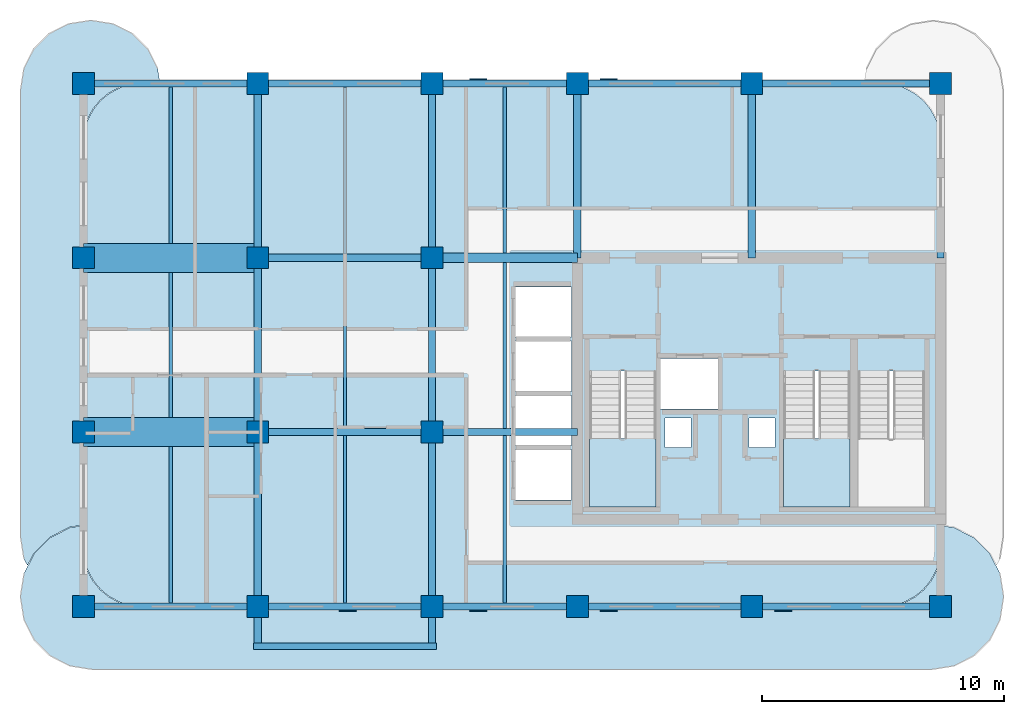
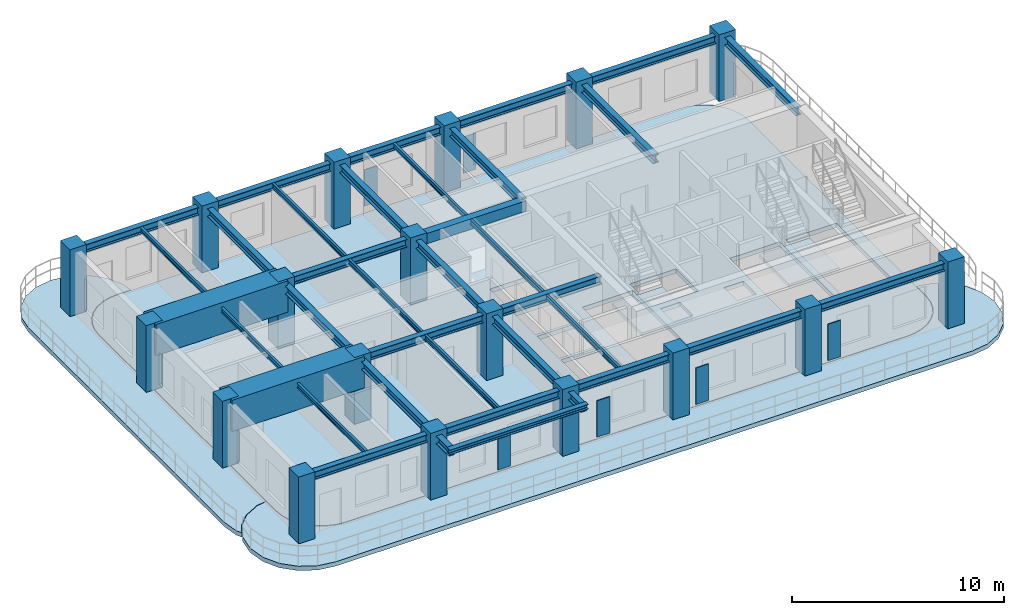
# One storey, part 1 of 8: 35 beams, 18 columns, 6 plates, 5 slabs, 2 elements without a shape of their own.
"""IFC4 building model written with IfcOpenShell, lengths in metres."""

from ifc_helpers import new_model, si_unit, derived_unit, direction, frame, origin, origin_2d, place, context, subcontext, project, spatial, polyline, rectangle, i_section, outline, extrude, source, transform, mapped, material, layer, layer_set, material_profile, profile_set, type_object, type_shapes, element, aggregate, save


model = new_model("IFC4")

# Units and contexts
model_context = context("Model", 3, precision=1e-05, world=origin(), true_north=direction((0.0, 1.0)))
body_context = subcontext(model_context, "Body", "Model", "MODEL_VIEW")
ifc_project = project(units=[si_unit("LENGTHUNIT", "METRE"), si_unit("AREAUNIT", "SQUARE_METRE"), si_unit("VOLUMEUNIT", "CUBIC_METRE"), si_unit("PLANEANGLEUNIT", "RADIAN"), si_unit("MASSUNIT", "GRAM", prefix="KILO"), si_unit("THERMODYNAMICTEMPERATUREUNIT", "KELVIN"), si_unit("POWERUNIT", "WATT"), derived_unit("THERMALTRANSMITTANCEUNIT", [(si_unit("POWERUNIT", "WATT"), 1), (si_unit("AREAUNIT", "SQUARE_METRE"), -1), (si_unit("THERMODYNAMICTEMPERATUREUNIT", "KELVIN"), -1)])], contexts=[model_context])

# Site, building, storey
site_placement = place(None, origin())
site = spatial("IfcSite", under=ifc_project, at=site_placement, CompositionType="ELEMENT")
building_placement = place(site_placement, origin())
building = spatial("IfcBuilding", under=site, at=building_placement, Name="Zahravan Archway Hotel and Residences", CompositionType="ELEMENT")
storey_placement = place(building_placement, frame((0.0, 0.0, 248.10009765625)))
storey = spatial("IfcBuildingStorey", under=building, at=storey_placement, Name="L62", CompositionType="ELEMENT", Elevation=248.10009765625)

# Columns
ifc_material_1 = material(Name="Concrete C60/75", Category="concrete")
ifc_material_profile_1 = material_profile(ifc_material_1, rectangle(XDim=0.89990234375, YDim=0.89990234375, at=origin_2d()), Name="RC-COL-900x900", Category="concrete")
ifc_profile_set_1 = profile_set([ifc_material_profile_1], Name="Concrete C60/75")
column_type = type_object("IfcColumnType", Name="COL-RC-900", PredefinedType="COLUMN", material=ifc_profile_set_1)
shared_shape_1 = source(origin(), body_context, "Body", "SweptSolid", [
    extrude(rectangle(XDim=0.89990234375, YDim=0.89990234375, at=origin_2d()), origin(), (0.0, 0.0, 1.0), 3.849853515625),
])
for number, where, z_axis, x_axis, name in (
    (1, (14.39990234375, 0.0, 0.0), (0.0, 0.0, 1.0), (1.0, 0.0, 0.0), "L62 Column 3-A"),
    (2, (14.39990234375, 7.199951171875, 0.0), (0.0, 0.0, 1.0), (1.0, 0.0, 0.0), "L62 Column 3-B"),
    (3, (14.39990234375, 14.39990234375, 0.0), (0.0, 0.0, 1.0), (1.0, 0.0, 0.0), "L62 Column 3-C"),
    (4, (14.39990234375, 21.60009765625, 0.0), (0.0, 0.0, 1.0), (1.0, 0.0, 0.0), "L62 Column 3-D"),
    (5, (21.60009765625, 0.0, 0.0), (0.0, 0.0, 1.0), (1.0, 0.0, 0.0), "L62 Column 4-A"),
    (6, (21.60009765625, 7.199951171875, 0.0), (0.0, 0.0, 1.0), (1.0, 0.0, 0.0), "L62 Column 4-B"),
    (7, (21.60009765625, 14.39990234375, 0.0), (0.0, 0.0, 1.0), (1.0, 0.0, 0.0), "L62 Column 4-C"),
    (8, (21.60009765625, 21.60009765625, 0.0), (0.0, 0.0, 1.0), (1.0, 0.0, 0.0), "L62 Column 4-D"),
    (9, (28.800048828125, 0.0, 0.0), (0.0, 0.0, 1.0), (1.0, 0.0, 0.0), "L62 Column 5-A"),
    (10, (28.800048828125, 7.199951171875, 0.0), (0.0, 0.0, 1.0), (1.0, 0.0, 0.0), "L62 Column 5-B"),
    (11, (28.800048828125, 14.39990234375, 0.0), (0.0, 0.0, 1.0), (1.0, 0.0, 0.0), "L62 Column 5-C"),
    (12, (28.800048828125, 21.60009765625, 0.0), (0.0, 0.0, 1.0), (1.0, 0.0, 0.0), "L62 Column 5-D"),
    (13, (34.800048828125, 0.0, 0.0), (0.0, 0.0, 1.0), (1.0, 0.0, 0.0), "L62 Column 6-A"),
    (14, (34.800048828125, 21.60009765625, 0.0), (0.0, 0.0, 1.0), (1.0, 0.0, 0.0), "L62 Column 6-D"),
    (15, (42.0, 0.0, 0.0), (0.0, 0.0, 1.0), (1.0, 0.0, 0.0), "L62 Column 7-A"),
    (16, (42.0, 21.60009765625, 0.0), (0.0, 0.0, 1.0), (1.0, 0.0, 0.0), "L62 Column 7-D"),
    (17, (49.800048828125, 0.0, 0.0), (0.0, 0.0, 1.0), (1.0, 0.0, 0.0), "L62 Column 8-A"),
    (18, (49.800048828125, 21.60009765625, 0.0), (0.0, 0.0, 1.0), (1.0, 0.0, 0.0), "L62 Column 8-D"),
):
    element("IfcColumn", number, at=place(storey_placement, frame(where, z_axis=z_axis, x_axis=x_axis)), inside=storey, type_object=column_type, Name=name, PredefinedType="COLUMN", context=body_context, shape_type="MappedRepresentation", body=[
        mapped(shared_shape_1, transform((0.0, 0.0, 0.0), scale=1.0)),
    ])

# Beams
ifc_material_2 = material(Name="Structural Steel S355JR", Category="steel")
ifc_material_profile_2 = material_profile(ifc_material_2, i_section(OverallWidth=0.280029296875, OverallDepth=0.280029296875, WebThickness=0.010498046875, FlangeThickness=0.01806640625, FilletRadius=0.02392578125, at=origin_2d()), Name="HEB 280", Category="steel")
ifc_profile_set_2 = profile_set([ifc_material_profile_2], Name="Structural Steel S355JR")
beam_type_1 = type_object("IfcBeamType", Name="BM-SPN-HEB280", PredefinedType="SPANDREL", material=ifc_profile_set_2)
shared_shape_2 = source(origin(), body_context, "Body", "SweptSolid", [
    extrude(i_section(OverallWidth=0.280029296875, OverallDepth=0.280029296875, WebThickness=0.010498046875, FlangeThickness=0.01806640625, FilletRadius=0.02392578125, at=origin_2d()), origin(), (0.0, 0.0, 1.0), 7.56005859375),
])
type_shapes(beam_type_1, [shared_shape_2])
beam_1_placement = place(storey_placement, frame((21.419921875, -1.64990234375, 3.4599609375), z_axis=(1.0, 0.0, 0.0), x_axis=(0.0, 1.0, 0.0)))
element("IfcBeam", 19, at=beam_1_placement, inside=storey, type_object=beam_type_1, Name="L63 SA Balcony Edge Spandrel", PredefinedType="SPANDREL", context=body_context, shape_type="MappedRepresentation", body=[
    mapped(shared_shape_2, transform((0.0, 0.0, 0.0), scale=1.0)),
])
ifc_material_profile_3 = material_profile(ifc_material_1, rectangle(XDim=0.39990234375, YDim=0.60009765625, at=origin_2d()), Name="RC-LNT-400x600", Category="concrete")
ifc_profile_set_3 = profile_set([ifc_material_profile_3], Name="Concrete C60/75")
beam_type_2 = type_object("IfcBeamType", Name="LNT-RC-400x600", PredefinedType="LINTEL", material=ifc_profile_set_3)
shared_shape_3 = source(origin(), body_context, "Body", "SweptSolid", [
    extrude(rectangle(XDim=0.39990234375, YDim=0.60009765625, at=origin_2d()), origin(), (0.0, 0.0, 1.0), 6.0),
])
type_shapes(beam_type_2, [shared_shape_3])
beam_2_placement = place(storey_placement, frame((28.800048828125, 14.39990234375, 3.2998046875), z_axis=(1.0, 0.0, 0.0), x_axis=(0.0, 1.0, 0.0)))
element("IfcBeam", 20, at=beam_2_placement, inside=storey, type_object=beam_type_2, Name="L62 Core A Coupling Lintel Beam", PredefinedType="LINTEL", context=body_context, shape_type="MappedRepresentation", body=[
    mapped(shared_shape_3, transform((0.0, 0.0, 0.0), scale=1.0)),
])
ifc_material_profile_4 = material_profile(ifc_material_2, i_section(OverallWidth=0.300048828125, OverallDepth=0.449951171875, WebThickness=0.013916015625, FlangeThickness=0.02587890625, FilletRadius=0.027099609375, at=origin_2d()), Name="HEB 450", Category="steel")
ifc_profile_set_4 = profile_set([ifc_material_profile_4], Name="Structural Steel S355JR")
beam_type_3 = type_object("IfcBeamType", Name="BM-PRI-HEB450", PredefinedType="BEAM", material=ifc_profile_set_4)
shared_shape_4 = source(origin(), body_context, "Body", "SweptSolid", [
    extrude(i_section(OverallWidth=0.300048828125, OverallDepth=0.449951171875, WebThickness=0.013916015625, FlangeThickness=0.02587890625, FilletRadius=0.027099609375, at=origin_2d()), origin(), (0.0, 0.0, 1.0), 7.2001953125),
])
type_shapes(beam_type_3, [shared_shape_4])
for number, where, z_axis, x_axis, name in (
    (21, (14.39990234375, 0.0, 3.375), (1.0, 0.0, 0.0), (0.0, 1.0, 0.0), "L62 Primary Girder EW-01"),
    (22, (14.39990234375, 21.60009765625, 3.375), (1.0, 0.0, 0.0), (0.0, 1.0, 0.0), "L62 Primary Girder EW-09"),
    (23, (21.60009765625, 14.39990234375, 3.375), (0.0, 1.0, 0.0), (-1.0, 0.0, 0.0), "L62 Primary Girder NS-16"),
    (24, (28.800048828125, 14.39990234375, 3.375), (0.0, 1.0, 0.0), (-1.0, 0.0, 0.0), "L62 Primary Girder NS-19"),
    (25, (34.800048828125, 14.39990234375, 3.375), (0.0, 1.0, 0.0), (-1.0, 0.0, 0.0), "L62 Primary Girder NS-20"),
    (26, (42.0, 14.39990234375, 3.375), (0.0, 1.0, 0.0), (-1.0, 0.0, 0.0), "L62 Primary Girder NS-21"),
    (27, (49.800048828125, 14.39990234375, 3.375), (0.0, 1.0, 0.0), (-1.0, 0.0, 0.0), "L62 Primary Girder NS-22"),
):
    element("IfcBeam", number, at=place(storey_placement, frame(where, z_axis=z_axis, x_axis=x_axis)), inside=storey, type_object=beam_type_3, Name=name, PredefinedType="BEAM", context=body_context, shape_type="MappedRepresentation", body=[
        mapped(shared_shape_4, transform((0.0, 0.0, 0.0), scale=1.0)),
    ])
shared_shape_5 = source(origin(), body_context, "Body", "SweptSolid", [
    extrude(i_section(OverallWidth=0.300048828125, OverallDepth=0.449951171875, WebThickness=0.013916015625, FlangeThickness=0.02587890625, FilletRadius=0.027099609375, at=origin_2d()), origin(), (0.0, 0.0, 1.0), 7.199951171875),
])
for number, where, z_axis, x_axis, name in (
    (28, (21.60009765625, 0.0, 3.375), (1.0, 0.0, 0.0), (0.0, 1.0, 0.0), "L62 Primary Girder EW-02"),
    (29, (34.800048828125, 0.0, 3.375), (1.0, 0.0, 0.0), (0.0, 1.0, 0.0), "L62 Primary Girder EW-04"),
    (30, (21.60009765625, 7.199951171875, 3.375), (1.0, 0.0, 0.0), (0.0, 1.0, 0.0), "L62 Primary Girder EW-06"),
    (31, (21.60009765625, 14.39990234375, 3.375), (1.0, 0.0, 0.0), (0.0, 1.0, 0.0), "L62 Primary Girder EW-08"),
    (32, (21.60009765625, 21.60009765625, 3.375), (1.0, 0.0, 0.0), (0.0, 1.0, 0.0), "L62 Primary Girder EW-10"),
    (33, (34.800048828125, 21.60009765625, 3.375), (1.0, 0.0, 0.0), (0.0, 1.0, 0.0), "L62 Primary Girder EW-12"),
    (34, (21.60009765625, 7.199951171875, 3.375), (0.0, 1.0, 0.0), (-1.0, 0.0, 0.0), "L62 Primary Girder NS-15"),
    (35, (28.800048828125, 7.199951171875, 3.375), (0.0, 1.0, 0.0), (-1.0, 0.0, 0.0), "L62 Primary Girder NS-18"),
):
    element("IfcBeam", number, at=place(storey_placement, frame(where, z_axis=z_axis, x_axis=x_axis)), inside=storey, type_object=beam_type_3, Name=name, PredefinedType="BEAM", context=body_context, shape_type="MappedRepresentation", body=[
        mapped(shared_shape_5, transform((0.0, 0.0, 0.0), scale=1.0)),
    ])
shared_shape_6 = source(origin(), body_context, "Body", "SweptSolid", [
    extrude(i_section(OverallWidth=0.300048828125, OverallDepth=0.449951171875, WebThickness=0.013916015625, FlangeThickness=0.02587890625, FilletRadius=0.027099609375, at=origin_2d()), origin(), (0.0, 0.0, 1.0), 6.0),
])
for number, where, z_axis, x_axis, name in (
    (36, (28.800048828125, 0.0, 3.375), (1.0, 0.0, 0.0), (0.0, 1.0, 0.0), "L62 Primary Girder EW-03"),
    (37, (28.800048828125, 7.199951171875, 3.375), (1.0, 0.0, 0.0), (0.0, 1.0, 0.0), "L62 Primary Girder EW-07"),
    (38, (28.800048828125, 21.60009765625, 3.375), (1.0, 0.0, 0.0), (0.0, 1.0, 0.0), "L62 Primary Girder EW-11"),
):
    element("IfcBeam", number, at=place(storey_placement, frame(where, z_axis=z_axis, x_axis=x_axis)), inside=storey, type_object=beam_type_3, Name=name, PredefinedType="BEAM", context=body_context, shape_type="MappedRepresentation", body=[
        mapped(shared_shape_6, transform((0.0, 0.0, 0.0), scale=1.0)),
    ])
shared_shape_7 = source(origin(), body_context, "Body", "SweptSolid", [
    extrude(i_section(OverallWidth=0.300048828125, OverallDepth=0.449951171875, WebThickness=0.013916015625, FlangeThickness=0.02587890625, FilletRadius=0.027099609375, at=origin_2d()), origin(), (0.0, 0.0, 1.0), 7.800048828125),
])
for number, where, z_axis, x_axis, name in (
    (39, (42.0, 0.0, 3.375), (1.0, 0.0, 0.0), (0.0, 1.0, 0.0), "L62 Primary Girder EW-05"),
    (40, (42.0, 21.60009765625, 3.375), (1.0, 0.0, 0.0), (0.0, 1.0, 0.0), "L62 Primary Girder EW-13"),
):
    element("IfcBeam", number, at=place(storey_placement, frame(where, z_axis=z_axis, x_axis=x_axis)), inside=storey, type_object=beam_type_3, Name=name, PredefinedType="BEAM", context=body_context, shape_type="MappedRepresentation", body=[
        mapped(shared_shape_7, transform((0.0, 0.0, 0.0), scale=1.0)),
    ])
ifc_material_profile_5 = material_profile(ifc_material_2, i_section(OverallWidth=0.135009765625, OverallDepth=0.27001953125, WebThickness=0.006591796875, FlangeThickness=0.01025390625, FilletRadius=0.014892578125, at=origin_2d()), Name="IPE 270", Category="steel")
ifc_profile_set_5 = profile_set([ifc_material_profile_5], Name="Structural Steel S355JR")
beam_type_4 = type_object("IfcBeamType", Name="BM-JST-IPE270", PredefinedType="JOIST", material=ifc_profile_set_5)
shared_shape_8 = source(origin(), body_context, "Body", "SweptSolid", [
    extrude(i_section(OverallWidth=0.135009765625, OverallDepth=0.27001953125, WebThickness=0.006591796875, FlangeThickness=0.01025390625, FilletRadius=0.014892578125, at=origin_2d()), origin(), (0.0, 0.0, 1.0), 6.904052734375),
])
type_shapes(beam_type_4, [shared_shape_8])
for number, where, z_axis, x_axis, name in (
    (41, (25.199951171875, 0.14794921875, 3.46484375), (0.0, 1.0, 0.0), (-1.0, 0.0, 0.0), "L62 Composite Floor Joist 02"),
    (42, (31.800048828125, 0.14794921875, 3.46484375), (0.0, 1.0, 0.0), (-1.0, 0.0, 0.0), "L62 Composite Floor Joist 03"),
    (43, (25.199951171875, 7.347900390625, 3.46484375), (0.0, 1.0, 0.0), (-1.0, 0.0, 0.0), "L62 Composite Floor Joist 05"),
):
    element("IfcBeam", number, at=place(storey_placement, frame(where, z_axis=z_axis, x_axis=x_axis)), inside=storey, type_object=beam_type_4, Name=name, PredefinedType="JOIST", context=body_context, shape_type="MappedRepresentation", body=[
        mapped(shared_shape_8, transform((0.0, 0.0, 0.0), scale=1.0)),
    ])
shared_shape_9 = source(origin(), body_context, "Body", "SweptSolid", [
    extrude(i_section(OverallWidth=0.135009765625, OverallDepth=0.27001953125, WebThickness=0.006591796875, FlangeThickness=0.01025390625, FilletRadius=0.014892578125, at=origin_2d()), origin(), (0.0, 0.0, 1.0), 6.85400390625),
])
for number, where, z_axis, x_axis, name in (
    (44, (31.800048828125, 7.347900390625, 3.46484375), (0.0, 1.0, 0.0), (-1.0, 0.0, 0.0), "L62 Composite Floor Joist 06"),
    (45, (31.800048828125, 14.597900390625, 3.46484375), (0.0, 1.0, 0.0), (-1.0, 0.0, 0.0), "L62 Composite Floor Joist 07"),
):
    element("IfcBeam", number, at=place(storey_placement, frame(where, z_axis=z_axis, x_axis=x_axis)), inside=storey, type_object=beam_type_4, Name=name, PredefinedType="JOIST", context=body_context, shape_type="MappedRepresentation", body=[
        mapped(shared_shape_9, transform((0.0, 0.0, 0.0), scale=1.0)),
    ])
shared_shape_10 = source(origin(), body_context, "Body", "SweptSolid", [
    extrude(i_section(OverallWidth=0.135009765625, OverallDepth=0.27001953125, WebThickness=0.006591796875, FlangeThickness=0.01025390625, FilletRadius=0.014892578125, at=origin_2d()), origin(), (0.0, 0.0, 1.0), 6.90380859375),
])
beam_3_placement = place(storey_placement, frame((25.199951171875, 14.548095703125, 3.46484375), z_axis=(0.0, 1.0, 0.0), x_axis=(-1.0, 0.0, 0.0)))
element("IfcBeam", 46, at=beam_3_placement, inside=storey, type_object=beam_type_4, Name="L62 Composite Floor Joist 09", PredefinedType="JOIST", context=body_context, shape_type="MappedRepresentation", body=[
    mapped(shared_shape_10, transform((0.0, 0.0, 0.0), scale=1.0)),
])
shared_shape_11 = source(origin(), body_context, "Body", "SweptSolid", [
    extrude(i_section(OverallWidth=0.300048828125, OverallDepth=0.449951171875, WebThickness=0.013916015625, FlangeThickness=0.02587890625, FilletRadius=0.027099609375, at=origin_2d()), origin(), (0.0, 0.0, 1.0), 8.849853515625),
])
for number, where, z_axis, x_axis, name in (
    (47, (21.60009765625, -1.64990234375, 3.375), (0.0, 1.0, 0.0), (-1.0, 0.0, 0.0), "L62 Primary Girder NS-14"),
    (48, (28.800048828125, -1.64990234375, 3.375), (0.0, 1.0, 0.0), (-1.0, 0.0, 0.0), "L62 Primary Girder NS-17"),
):
    element("IfcBeam", number, at=place(storey_placement, frame(where, z_axis=z_axis, x_axis=x_axis)), inside=storey, type_object=beam_type_3, Name=name, PredefinedType="BEAM", context=body_context, shape_type="MappedRepresentation", body=[
        mapped(shared_shape_11, transform((0.0, 0.0, 0.0), scale=1.0)),
    ])
ifc_material_profile_6 = material_profile(ifc_material_1, rectangle(XDim=1.199951171875, YDim=1.800048828125, at=origin_2d()), Name="RC 1200x1800", Category="concrete")
ifc_profile_set_6 = profile_set([ifc_material_profile_6], Name="Concrete C60/75")
beam_type_5 = type_object("IfcBeamType", Name="BM-TRG-1200x1800", PredefinedType="T_BEAM", material=ifc_profile_set_6)
shared_shape_12 = source(origin(), body_context, "Body", "SweptSolid", [
    extrude(rectangle(XDim=1.199951171875, YDim=1.800048828125, at=origin_2d()), origin(), (0.0, 0.0, 1.0), 7.2001953125),
])
for number, where, z_axis, x_axis, name in (
    (49, (14.39990234375, 7.199951171875, 2.949951171875), (1.0, 0.0, 0.0), (0.0, 1.0, 0.0), "L62 West Setback RC Transfer Girder 1"),
    (50, (14.39990234375, 14.39990234375, 2.949951171875), (1.0, 0.0, 0.0), (0.0, 1.0, 0.0), "L62 West Setback RC Transfer Girder 2"),
):
    element("IfcBeam", number, at=place(storey_placement, frame(where, z_axis=z_axis, x_axis=x_axis)), inside=storey, type_object=beam_type_5, Name=name, PredefinedType="T_BEAM", context=body_context, shape_type="MappedRepresentation", body=[
        mapped(shared_shape_12, transform((0.0, 0.0, 0.0), scale=1.0)),
    ])
shared_shape_13 = source(origin(), body_context, "Body", "SweptSolid", [
    extrude(i_section(OverallWidth=0.135009765625, OverallDepth=0.27001953125, WebThickness=0.006591796875, FlangeThickness=0.01025390625, FilletRadius=0.014892578125, at=origin_2d()), origin(), (0.0, 0.0, 1.0), 6.4541015625),
])
beam_4_placement = place(storey_placement, frame((18.0, 0.14794921875, 3.46484375), z_axis=(0.0, 1.0, 0.0), x_axis=(-1.0, 0.0, 0.0)))
element("IfcBeam", 51, at=beam_4_placement, inside=storey, type_object=beam_type_4, Name="L62 Composite Floor Joist 01", PredefinedType="JOIST", context=body_context, shape_type="MappedRepresentation", body=[
    mapped(shared_shape_13, transform((0.0, 0.0, 0.0), scale=1.0)),
])
shared_shape_14 = source(origin(), body_context, "Body", "SweptSolid", [
    extrude(i_section(OverallWidth=0.135009765625, OverallDepth=0.27001953125, WebThickness=0.006591796875, FlangeThickness=0.01025390625, FilletRadius=0.014892578125, at=origin_2d()), origin(), (0.0, 0.0, 1.0), 6.00390625),
])
beam_5_placement = place(storey_placement, frame((18.0, 7.798095703125, 3.46484375), z_axis=(0.0, 1.0, 0.0), x_axis=(-1.0, 0.0, 0.0)))
element("IfcBeam", 52, at=beam_5_placement, inside=storey, type_object=beam_type_4, Name="L62 Composite Floor Joist 04", PredefinedType="JOIST", context=body_context, shape_type="MappedRepresentation", body=[
    mapped(shared_shape_14, transform((0.0, 0.0, 0.0), scale=1.0)),
])
shared_shape_15 = source(origin(), body_context, "Body", "SweptSolid", [
    extrude(i_section(OverallWidth=0.135009765625, OverallDepth=0.27001953125, WebThickness=0.006591796875, FlangeThickness=0.01025390625, FilletRadius=0.014892578125, at=origin_2d()), origin(), (0.0, 0.0, 1.0), 6.453857421875),
])
beam_6_placement = place(storey_placement, frame((18.0, 14.998046875, 3.46484375), z_axis=(0.0, 1.0, 0.0), x_axis=(-1.0, 0.0, 0.0)))
element("IfcBeam", 53, at=beam_6_placement, inside=storey, type_object=beam_type_4, Name="L62 Composite Floor Joist 08", PredefinedType="JOIST", context=body_context, shape_type="MappedRepresentation", body=[
    mapped(shared_shape_15, transform((0.0, 0.0, 0.0), scale=1.0)),
])

# Slabs
ifc_material_3 = material(Name="Concrete C45/55", Category="concrete")
ifc_layer_1 = layer(ifc_material_3, 0.25, Name="Concrete C45/55", Category="concrete")
ifc_layer_set_1 = layer_set([ifc_layer_1], Name="Concrete C45/55")
slab_type_1 = type_object("IfcSlabType", Name="SLB-BALC-250", PredefinedType="FLOOR", material=ifc_layer_set_1)
slab_1_placement = place(storey_placement, frame((0.0, 0.0, -0.25)))
element("IfcSlab", 54, at=slab_1_placement, inside=storey, type_object=slab_type_1, Name="L62 Wing A South Rounded Balcony Band", PredefinedType="FLOOR", context=body_context, shape_type="SweptSolid", body=[
    extrude(outline(polyline([(50.361572265625, 3.255615234375), (51.18408203125, 2.836669921875), (51.836669921875, 2.18408203125), (52.255615234375, 1.361572265625), (52.39990234375, 0.449951171875), (52.39990234375, 0.35009765625), (52.255615234375, -0.5615234375), (51.836669921875, -1.384033203125), (51.18408203125, -2.03662109375), (50.361572265625, -2.45556640625), (49.449951171875, -2.60009765625), (14.75, -2.60009765625), (13.83837890625, -2.45556640625), (13.01611328125, -2.03662109375), (12.36328125, -1.384033203125), (11.9443359375, -0.5615234375), (11.800048828125, 0.35009765625), (11.800048828125, 0.449951171875), (11.9443359375, 1.361572265625), (12.36328125, 2.18408203125), (13.01611328125, 2.836669921875), (13.83837890625, 3.255615234375), (14.3798828125, 3.34130859375), (14.3798828125, 2.39990234375), (14.380126953125, 2.39794921875), (14.42626953125, 1.9296875), (14.426513671875, 1.927978515625), (14.427001953125, 1.926025390625), (14.563720703125, 1.475830078125), (14.564208984375, 1.473876953125), (14.565185546875, 1.47216796875), (14.786865234375, 1.05712890625), (14.787841796875, 1.055419921875), (14.7890625, 1.053955078125), (15.08740234375, 0.690185546875), (15.0888671875, 0.688720703125), (15.090087890625, 0.6875), (15.453857421875, 0.388916015625), (15.45556640625, 0.387939453125), (15.457275390625, 0.386962890625), (15.872314453125, 0.1650390625), (15.873779296875, 0.164306640625), (15.875732421875, 0.16357421875), (16.325927734375, 0.027099609375), (16.327880859375, 0.026611328125), (16.329833984375, 0.026123046875), (16.798095703125, -0.02001953125), (16.800048828125, -0.02001953125), (47.39990234375, -0.02001953125), (47.402099609375, -0.02001953125), (47.8701171875, 0.026123046875), (47.8720703125, 0.026611328125), (47.8740234375, 0.027099609375), (48.32421875, 0.16357421875), (48.326171875, 0.164306640625), (48.327880859375, 0.1650390625), (48.742919921875, 0.386962890625), (48.744384765625, 0.387939453125), (48.74609375, 0.388916015625), (49.10986328125, 0.6875), (49.111083984375, 0.688720703125), (49.112548828125, 0.690185546875), (49.410888671875, 1.053955078125), (49.412109375, 1.055419921875), (49.4130859375, 1.05712890625), (49.635009765625, 1.47216796875), (49.6357421875, 1.473876953125), (49.636474609375, 1.475830078125), (49.77294921875, 1.926025390625), (49.7734375, 1.927978515625), (49.773681640625, 1.9296875), (49.81982421875, 2.39794921875), (49.820068359375, 2.39990234375), (49.820068359375, 3.34130859375), (50.361572265625, 3.255615234375)])), origin(), (0.0, 0.0, 1.0), 0.25),
])
slab_2_placement = place(storey_placement, frame((0.0, 0.0, -0.25)))
element("IfcSlab", 55, at=slab_2_placement, inside=storey, type_object=slab_type_1, Name="L62 Wing A West Rounded Balcony Band", PredefinedType="FLOOR", context=body_context, shape_type="SweptSolid", body=[
    extrude(outline(polyline([(11.939453125, 1.96923828125), (11.800048828125, 2.85009765625), (11.800048828125, 21.35009765625), (11.939453125, 22.230712890625), (12.34423828125, 23.025146484375), (12.974853515625, 23.65576171875), (13.769287109375, 24.060546875), (14.64990234375, 24.199951171875), (14.75, 24.199951171875), (15.630615234375, 24.060546875), (16.42529296875, 23.65576171875), (17.0556640625, 23.025146484375), (17.46044921875, 22.230712890625), (17.55712890625, 21.6201171875), (16.800048828125, 21.6201171875), (16.798095703125, 21.619873046875), (16.329833984375, 21.57373046875), (16.327880859375, 21.573486328125), (16.325927734375, 21.572998046875), (15.875732421875, 21.436279296875), (15.873779296875, 21.435791015625), (15.872314453125, 21.434814453125), (15.457275390625, 21.213134765625), (15.45556640625, 21.212158203125), (15.453857421875, 21.2109375), (15.090087890625, 20.91259765625), (15.0888671875, 20.9111328125), (15.08740234375, 20.909912109375), (14.7890625, 20.546142578125), (14.787841796875, 20.54443359375), (14.786865234375, 20.542724609375), (14.565185546875, 20.127685546875), (14.564208984375, 20.126220703125), (14.563720703125, 20.124267578125), (14.427001953125, 19.674072265625), (14.426513671875, 19.672119140625), (14.42626953125, 19.670166015625), (14.380126953125, 19.201904296875), (14.3798828125, 19.199951171875), (14.3798828125, 3.361328125), (14.37890625, 3.361328125), (14.376953125, 3.361083984375), (13.835205078125, 3.275390625), (13.833251953125, 3.27490234375), (13.831298828125, 3.2744140625), (13.829345703125, 3.2734375), (13.0068359375, 2.8544921875), (13.005126953125, 2.853515625), (13.00341796875, 2.85205078125), (13.001953125, 2.8505859375), (12.349365234375, 2.197998046875), (12.347900390625, 2.196533203125), (12.3466796875, 2.19482421875), (12.345703125, 2.193115234375), (12.08544921875, 1.6826171875), (11.939453125, 1.96923828125)])), origin(), (0.0, 0.0, 1.0), 0.25),
])
ifc_layer_2 = layer(ifc_material_3, 0.25, Name="Concrete C45/55", Category="concrete")
ifc_layer_set_2 = layer_set([ifc_layer_2], Name="Concrete C45/55")
slab_type_2 = type_object("IfcSlabType", Name="SLB-FLR-250", PredefinedType="FLOOR", material=ifc_layer_set_2)
slab_3_placement = place(storey_placement, frame((0.0, 0.0, -0.25)))
element("IfcSlab", 56, at=slab_3_placement, inside=storey, type_object=slab_type_2, Name="L62 Floor Slab WA", PredefinedType="FLOOR", context=body_context, shape_type="SweptSolid", body=[
    extrude(outline(polyline([(47.39990234375, 0.0), (47.8681640625, 0.046142578125), (48.318359375, 0.1826171875), (48.7333984375, 0.404541015625), (49.09716796875, 0.702880859375), (49.3955078125, 1.066650390625), (49.6171875, 1.481689453125), (49.75390625, 1.931884765625), (49.800048828125, 2.39990234375), (49.800048828125, 19.199951171875), (49.75390625, 19.668212890625), (49.6171875, 20.118408203125), (49.3955078125, 20.533447265625), (49.09716796875, 20.897216796875), (48.7333984375, 21.195556640625), (48.318359375, 21.417236328125), (47.8681640625, 21.553955078125), (47.39990234375, 21.60009765625), (16.800048828125, 21.60009765625), (16.331787109375, 21.553955078125), (15.881591796875, 21.417236328125), (15.466552734375, 21.195556640625), (15.102783203125, 20.897216796875), (14.804443359375, 20.533447265625), (14.582763671875, 20.118408203125), (14.446044921875, 19.668212890625), (14.39990234375, 19.199951171875), (14.39990234375, 2.39990234375), (14.446044921875, 1.931884765625), (14.582763671875, 1.481689453125), (14.804443359375, 1.066650390625), (15.102783203125, 0.702880859375), (15.466552734375, 0.404541015625), (15.881591796875, 0.1826171875), (16.331787109375, 0.046142578125), (16.800048828125, 0.0), (47.39990234375, 0.0)]), holes=[polyline([(35.300048828125, 9.72998046875), (35.300048828125, 4.10009765625), (38.0400390625, 4.10009765625), (38.0400390625, 9.72998046875), (35.300048828125, 9.72998046875)]), polyline([(43.320068359375, 9.72998046875), (43.320068359375, 4.10009765625), (46.06005859375, 4.10009765625), (46.06005859375, 9.72998046875), (43.320068359375, 9.72998046875)]), polyline([(46.39990234375, 9.72998046875), (46.39990234375, 4.10009765625), (49.139892578125, 4.10009765625), (49.139892578125, 9.72998046875), (46.39990234375, 9.72998046875)]), polyline([(38.179931640625, 8.14990234375), (40.699951171875, 8.14990234375), (40.699951171875, 10.25), (38.179931640625, 10.25), (38.179931640625, 8.14990234375)]), polyline([(32.25, 4.39990234375), (34.550048828125, 4.39990234375), (34.550048828125, 6.47998046875), (32.25, 6.47998046875), (32.25, 4.39990234375)]), polyline([(32.25, 6.639892578125), (34.550048828125, 6.639892578125), (34.550048828125, 8.719970703125), (32.25, 8.719970703125), (32.25, 6.639892578125)]), polyline([(32.25, 8.8798828125), (34.550048828125, 8.8798828125), (34.550048828125, 10.9599609375), (32.25, 10.9599609375), (32.25, 8.8798828125)]), polyline([(32.25, 11.1201171875), (34.550048828125, 11.1201171875), (34.550048828125, 13.199951171875), (32.25, 13.199951171875), (32.25, 11.1201171875)]), polyline([(38.419921875, 6.56005859375), (39.5, 6.56005859375), (39.5, 7.780029296875), (38.419921875, 7.780029296875), (38.419921875, 6.56005859375)]), polyline([(41.89990234375, 6.56005859375), (42.9599609375, 6.56005859375), (42.9599609375, 7.780029296875), (41.89990234375, 7.780029296875), (41.89990234375, 6.56005859375)])]), origin(), (0.0, 0.0, 1.0), 0.25),
])

# Stair, slab
ifc_material_4 = material(Name="Concrete C50/60", Category="concrete")
stair_type = type_object("IfcStairType", Name="STR-CORE-1300", PredefinedType="HALF_TURN_STAIR", material=ifc_material_4)
stair_1_placement = place(storey_placement, origin())
stair_1 = element("IfcStair", 57, at=stair_1_placement, inside=storey, type_object=stair_type, Name="L62 Core A Exit Stair 1", PredefinedType="HALF_TURN_STAIR")
ifc_layer_3 = layer(ifc_material_4, 0.199951171875, Name="Concrete C50/60", Category="concrete")
ifc_layer_set_3 = layer_set([ifc_layer_3], Name="Concrete C50/60")
slab_type_3 = type_object("IfcSlabType", Name="SLB-LND-200", PredefinedType="LANDING", material=ifc_layer_set_3)
slab_4_placement = place(storey_placement, frame((0.0, 0.0, 1.724853515625)))
slab_4 = element("IfcSlab", 58, at=slab_4_placement, type_object=slab_type_3, Name="ST-A1 landing 1", PredefinedType="LANDING", context=body_context, shape_type="SweptSolid", body=[
    extrude(outline(polyline([(35.300048828125, 6.929931640625), (35.300048828125, 4.10009765625), (38.0400390625, 4.10009765625), (38.0400390625, 6.929931640625), (35.300048828125, 6.929931640625)])), origin(), (0.0, 0.0, 1.0), 0.199951171875),
])
aggregate(stair_1, [slab_4])

stair_2_placement = place(storey_placement, origin())
stair_2 = element("IfcStair", 59, at=stair_2_placement, inside=storey, type_object=stair_type, Name="L62 Core A Exit Stair 2", PredefinedType="HALF_TURN_STAIR")
slab_5_placement = place(storey_placement, frame((0.0, 0.0, 1.724853515625)))
slab_5 = element("IfcSlab", 60, at=slab_5_placement, type_object=slab_type_3, Name="ST-A2 landing 1", PredefinedType="LANDING", context=body_context, shape_type="SweptSolid", body=[
    extrude(outline(polyline([(43.320068359375, 6.929931640625), (43.320068359375, 4.10009765625), (46.06005859375, 4.10009765625), (46.06005859375, 6.929931640625), (43.320068359375, 6.929931640625)])), origin(), (0.0, 0.0, 1.0), 0.199951171875),
])
aggregate(stair_2, [slab_5])

# Plates
ifc_material_5 = material(Name="Perforated Cast Bronze Jali Lattice")
ifc_layer_4 = layer(ifc_material_5, 0.044921875, Name="Perforated Cast Bronze Jali Lattice")
ifc_layer_set_4 = layer_set([ifc_layer_4], Name="Perforated Cast Bronze Jali Lattice")
plate_type = type_object("IfcPlateType", Name="PLT-JALI-BAY", PredefinedType="USERDEFINED", material=ifc_layer_set_4)
shared_shape_16 = source(origin(), body_context, "Body", "SweptSolid", [
    extrude(rectangle(XDim=0.699951171875, YDim=0.044921875, at=origin_2d()), origin(), (0.0, 0.0, 1.0), 2.10009765625),
])
type_shapes(plate_type, [shared_shape_16])
for number, where, z_axis, x_axis, name in (
    (61, (25.30810546875, -0.177978515625, 0.249755859375), (0.0, 0.0, 1.0), (1.0, 0.0, 0.0), "L62 Perforated Bronze Jali Pier Screen 01"),
    (62, (30.7080078125, -0.177978515625, 0.249755859375), (0.0, 0.0, 1.0), (1.0, 0.0, 0.0), "L62 Perforated Bronze Jali Pier Screen 02"),
    (63, (36.10009765625, -0.177978515625, 0.249755859375), (0.0, 0.0, 1.0), (1.0, 0.0, 0.0), "L62 Perforated Bronze Jali Pier Screen 03"),
    (64, (43.300048828125, -0.177978515625, 0.249755859375), (0.0, 0.0, 1.0), (1.0, 0.0, 0.0), "L62 Perforated Bronze Jali Pier Screen 04"),
    (65, (30.708984375, 21.778076171875, 0.249755859375), (0.0, 0.0, 1.0), (1.0, 0.0, 0.0), "L62 Perforated Bronze Jali Pier Screen 05"),
    (66, (36.10009765625, 21.778076171875, 0.249755859375), (0.0, 0.0, 1.0), (1.0, 0.0, 0.0), "L62 Perforated Bronze Jali Pier Screen 06"),
):
    element("IfcPlate", number, at=place(storey_placement, frame(where, z_axis=z_axis, x_axis=x_axis)), inside=storey, type_object=plate_type, Name=name, ObjectType="SCREEN", PredefinedType="USERDEFINED", context=body_context, shape_type="MappedRepresentation", body=[
        mapped(shared_shape_16, transform((0.0, 0.0, 0.0), scale=1.0)),
    ])

save(model, "model.ifc")
